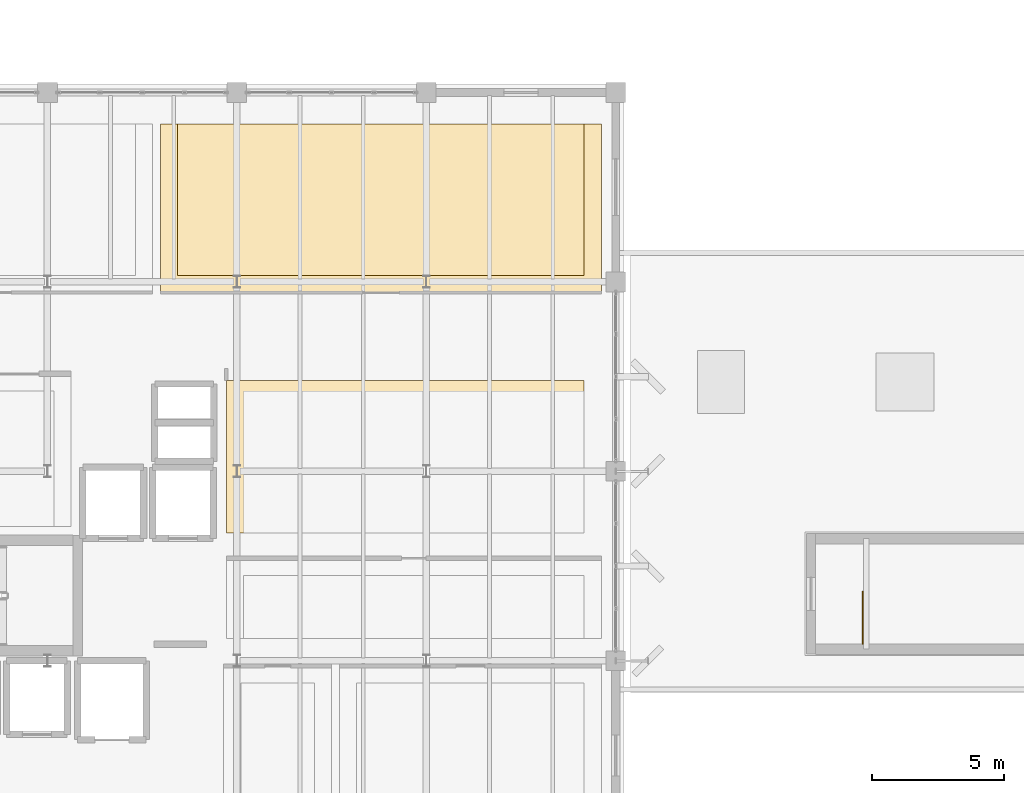
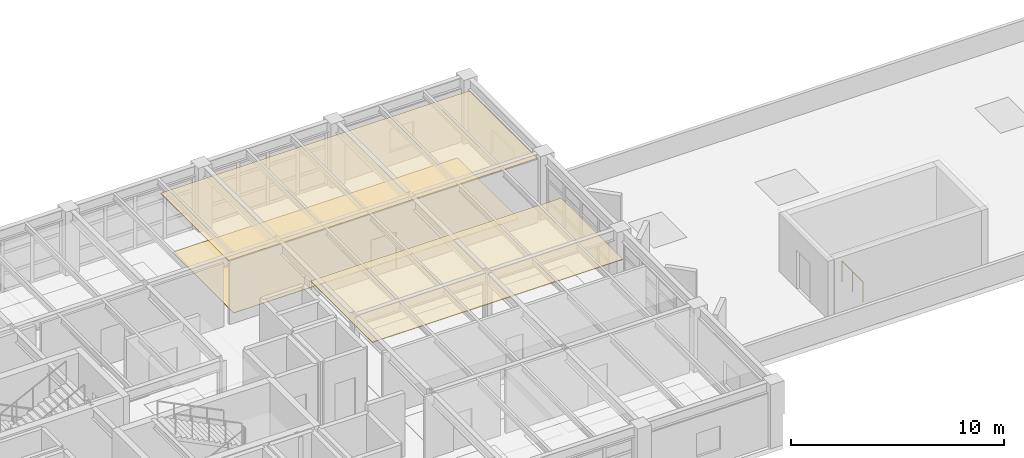
# One storey, part 32 of 32: 3 coverings, 1 railing.
"""IFC4 building model written with IfcOpenShell, lengths in metres."""

from ifc_helpers import new_model, si_unit, direction, frame, origin, origin_2d, place, context, subcontext, project, spatial, polyline, circle, outline, extrude, material, layer, layer_set, type_object, element, save


model = new_model("IFC4")

# Units and contexts
model_context = context("Model", 3, precision=1e-05, world=origin(), true_north=direction((0.0, 1.0)))
body_context = subcontext(model_context, "Body", "Model", "MODEL_VIEW")
ifc_project = project(units=[si_unit("LENGTHUNIT", "METRE"), si_unit("AREAUNIT", "SQUARE_METRE"), si_unit("VOLUMEUNIT", "CUBIC_METRE"), si_unit("PLANEANGLEUNIT", "RADIAN"), si_unit("MASSUNIT", "GRAM", prefix="KILO")], contexts=[model_context])

# Site, building, storey
site_placement = place(None, origin())
site = spatial("IfcSite", under=ifc_project, at=site_placement, CompositionType="ELEMENT")
building_placement = place(site_placement, origin())
building = spatial("IfcBuilding", under=site, at=building_placement, Name="Kandorven Conservatory and Botanical Research Centre", CompositionType="ELEMENT")
storey_placement = place(building_placement, frame((0.0, 0.0, 17.10009765625)))
storey = spatial("IfcBuildingStorey", under=building, at=storey_placement, Name="L04", CompositionType="ELEMENT", Elevation=17.10009765625)

# Coverings
ifc_material_1 = material(Name="Perforated mineral-fibre acoustic ceiling tile", Category="gypsum")
ifc_layer_1 = layer(ifc_material_1, 0.0400390625)
ifc_layer_set_1 = layer_set([ifc_layer_1], Name="Perforated mineral-fibre acoustic ceiling tile")
covering_type_1 = type_object("IfcCoveringType", Name="Cov_Ceiling_1", PredefinedType="CEILING", material=ifc_layer_set_1)
covering_1_placement = place(storey_placement, frame((0.0, 0.0, 3.599853515625)))
element("IfcCovering", 1, at=covering_1_placement, inside=storey, type_object=covering_type_1, Name="Suspended acoustic ceiling CLG-01 (Botanical Curation Studio L04)", PredefinedType="CEILING", context=body_context, shape_type="SweptSolid", body=[
    extrude(outline(polyline([(27.199951171875, 18.050048828125), (40.800048828125, 18.050048828125), (40.800048828125, 23.85009765625), (27.199951171875, 23.85009765625), (27.199951171875, 18.050048828125)])), origin(), (0.0, 0.0, 1.0), 0.0400390625),
])
covering_2_placement = place(storey_placement, frame((0.0, 0.0, 3.599853515625)))
element("IfcCovering", 2, at=covering_2_placement, inside=storey, type_object=covering_type_1, Name="Suspended acoustic ceiling CLG-01 (Departmental Research Seminar Room L04)", PredefinedType="CEILING", context=body_context, shape_type="SweptSolid", body=[
    extrude(outline(polyline([(24.699951171875, 27.199951171875), (41.449951171875, 27.199951171875), (41.449951171875, 33.60009765625), (24.699951171875, 33.60009765625), (24.699951171875, 27.199951171875)])), origin(), (0.0, 0.0, 1.0), 0.0400390625),
])
ifc_material_2 = material(Name="Honed Kota stone and epoxy laboratory flooring", Category="masonry")
ifc_layer_2 = layer(ifc_material_2, 0.02490234375)
ifc_layer_set_2 = layer_set([ifc_layer_2], Name="Honed Kota stone and epoxy laboratory flooring")
covering_type_2 = type_object("IfcCoveringType", Name="Cov_Flooring_1", PredefinedType="FLOORING", material=ifc_layer_set_2)
covering_3_placement = place(storey_placement, origin())
element("IfcCovering", 3, at=covering_3_placement, inside=storey, type_object=covering_type_2, Name="Floor finish FLR-01 (Departmental Research Seminar Room L04)", PredefinedType="FLOORING", context=body_context, shape_type="SweptSolid", body=[
    extrude(outline(polyline([(25.35009765625, 27.85009765625), (40.800048828125, 27.85009765625), (40.800048828125, 33.60009765625), (25.35009765625, 33.60009765625), (25.35009765625, 27.85009765625)])), origin(), (0.0, 0.0, 1.0), 0.02490234375),
])

# Railing
ifc_material_3 = material(Name="Steel S355 (IS 2062 E350)", Category="steel")
railing_type = type_object("IfcRailingType", Name="StairGuard_1150", PredefinedType="BALUSTRADE", material=ifc_material_3)
railing_placement = place(storey_placement, frame((51.389892578125, 13.85009765625, 0.0)))
element("IfcRailing", 4, at=railing_placement, inside=storey, type_object=railing_type, Name="L04 ST-V3A top well guard 1", PredefinedType="BALUSTRADE", context=body_context, shape_type="SweptSolid", body=[
    extrude(circle(Radius=0.02392578125, at=origin_2d()), frame((0.0, 0.0, 1.17578125), z_axis=(0.0, 1.0, 0.0), x_axis=(-1.0, 0.0, 0.0)), (0.0, 0.0, 1.0), 1.969970703125),
    extrude(circle(Radius=0.02099609375, at=origin_2d()), origin(), (0.0, 0.0, 1.0), 1.15185546875),
    extrude(circle(Radius=0.02099609375, at=origin_2d()), frame((0.0, 0.98486328125, 0.0)), (0.0, 0.0, 1.0), 1.15185546875),
    extrude(circle(Radius=0.02099609375, at=origin_2d()), frame((0.0, 1.969970703125, 0.0)), (0.0, 0.0, 1.0), 1.15185546875),
])

save(model, "model.ifc")
